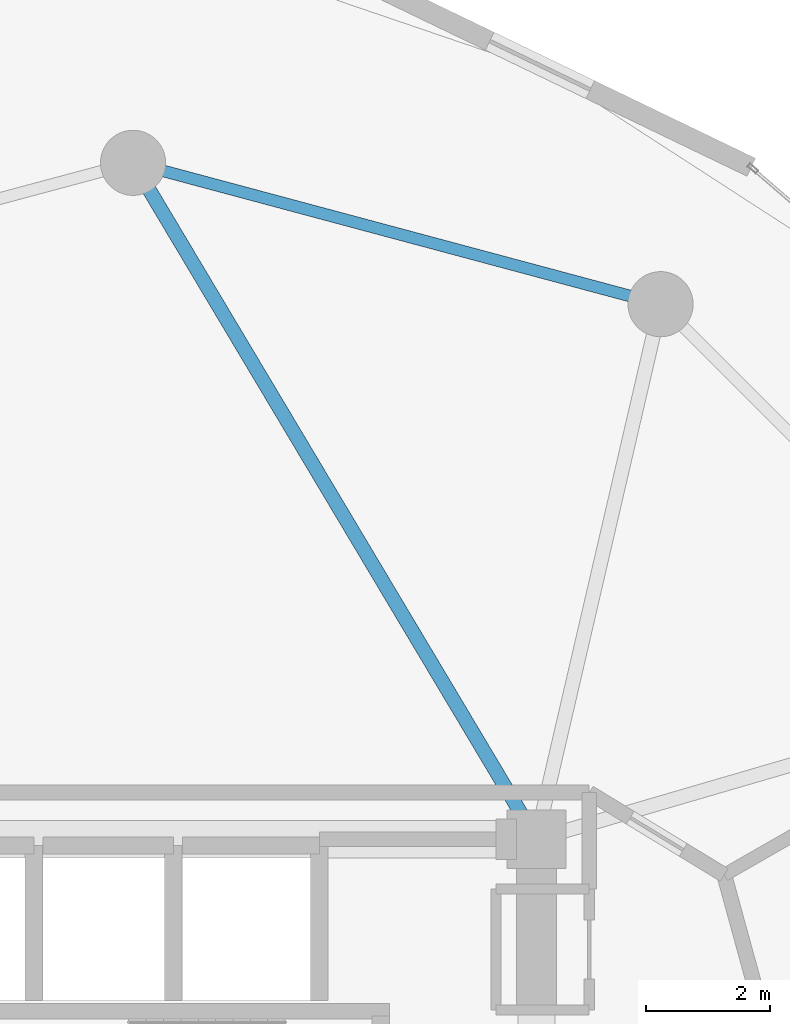
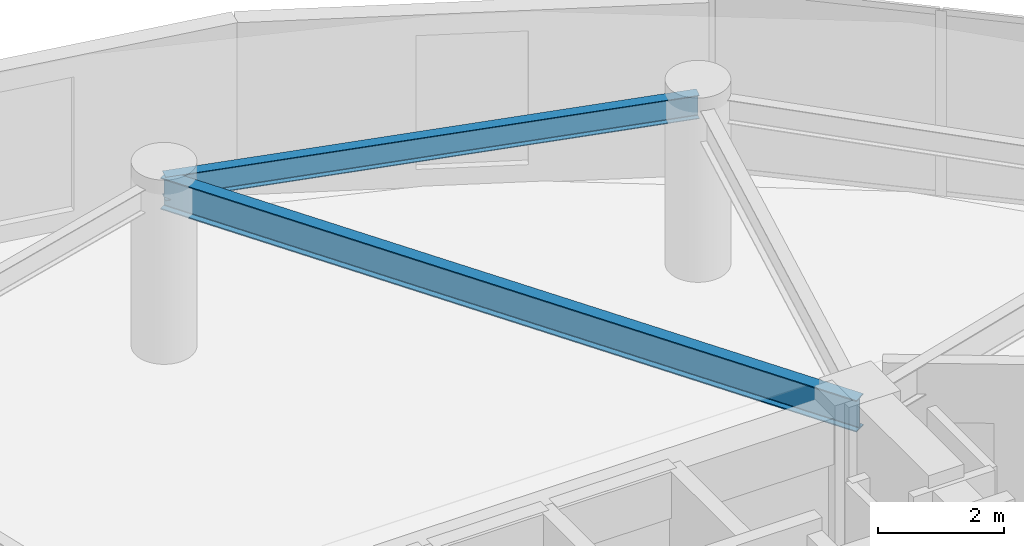
# One storey, part 17 of 26: 2 beams.
"""IFC4 building model written with IfcOpenShell, lengths in metres."""

import ifcopenshell
import ifcopenshell.guid

model = None  # the IFC model being written
_history = None  # IfcOwnerHistory: only IFC2X3 demands one
_inside = {}  # id of a spatial element -> (the spatial element, [elements in it])
_under = {}  # id of a project, library or spatial element -> (it, [spatial elements below it])
_declared = {}  # id of a project -> (the project, [libraries it declares])
_typed = {}  # id of a type object -> (the type object, [elements of that type])
_made_of = {}  # id of a material, layer set ... -> (it, [elements and type objects made of it])


def new_model(schema):
    """Start an empty IFC model of exactly this schema.

    Asked for "IFC4X3", IfcOpenShell would pick the latest addendum, in which some entities
    have other attributes; the version numbers below select the first issue.
    IFC2X3 requires an IfcOwnerHistory on every rooted entity: one is made here for all.
    """
    global model, _history
    if schema == "IFC4X3":
        model = ifcopenshell.file(schema_version=(4, 3, 0, 0))
    else:
        model = ifcopenshell.file(schema=schema)
    _inside.clear()
    _under.clear()
    _declared.clear()
    _typed.clear()
    _made_of.clear()
    _history = None
    if model.schema == "IFC2X3":
        org = make("IfcOrganization", Name="unknown")
        user = make(
            "IfcPersonAndOrganization",
            ThePerson=make("IfcPerson", FamilyName="unknown"),
            TheOrganization=org,
        )
        app = make(
            "IfcApplication",
            ApplicationDeveloper=org,
            Version="unknown",
            ApplicationFullName="unknown",
            ApplicationIdentifier="unknown",
        )
        _history = make(
            "IfcOwnerHistory",
            OwningUser=user,
            OwningApplication=app,
            ChangeAction="ADDED",
            CreationDate=0,
        )
    return model


def make(cls, **values):
    """One entity of the class cls with the attributes given. An attribute that is None is left unset."""
    return model.create_entity(
        cls, **{name: value for name, value in values.items() if value is not None}
    )


def rooted(cls, **values):
    """An entity with a GlobalId (a new one), such as an element, a storey or a relation."""
    return make(cls, GlobalId=ifcopenshell.guid.new(), OwnerHistory=_history, **values)


def si_unit(unit_type, name, prefix=None):
    """IfcSIUnit, for example si_unit("LENGTHUNIT", "METRE", prefix="MILLI")."""
    return make("IfcSIUnit", UnitType=unit_type, Prefix=prefix, Name=name)


def assignment(units):
    """IfcUnitAssignment: the units of a project."""
    return None if units is None else make("IfcUnitAssignment", Units=units)


def point(xyz):
    """IfcCartesianPoint."""
    return None if xyz is None else make("IfcCartesianPoint", Coordinates=xyz)


def direction(xyz):
    """IfcDirection."""
    return None if xyz is None else make("IfcDirection", DirectionRatios=xyz)


def frame(location, z_axis=None, x_axis=None):
    """IfcAxis2Placement3D, a coordinate frame: its origin and axes. An axis left out is left unset."""
    return make(
        "IfcAxis2Placement3D",
        Location=point(location),
        Axis=direction(z_axis),
        RefDirection=direction(x_axis),
    )


def frame_2d(location, x_axis=None):
    """IfcAxis2Placement2D, a coordinate frame in the plane: its origin and x axis."""
    return make(
        "IfcAxis2Placement2D", Location=point(location), RefDirection=direction(x_axis)
    )


def origin():
    """The frame at (0, 0, 0) with its axes left unset."""
    return frame((0.0, 0.0, 0.0))


def origin_2d():
    """The frame at (0, 0) in the plane with its x axis left unset."""
    return frame_2d((0.0, 0.0))


def place(relative_to, where):
    """IfcLocalPlacement: puts the frame where relative to a parent placement (None: the world)."""
    return make(
        "IfcLocalPlacement", PlacementRelTo=relative_to, RelativePlacement=where
    )


def context(
    kind, dimensions, precision=None, world=None, true_north=None, identifier=None
):
    """IfcGeometricRepresentationContext, for example the 3D "Model" context."""
    return make(
        "IfcGeometricRepresentationContext",
        ContextIdentifier=identifier,
        ContextType=kind,
        CoordinateSpaceDimension=dimensions,
        Precision=precision,
        WorldCoordinateSystem=world,
        TrueNorth=true_north,
    )


def subcontext(parent, identifier, kind, view, scale=None):
    """IfcGeometricRepresentationSubContext, for example "Body" below "Model"."""
    return make(
        "IfcGeometricRepresentationSubContext",
        ContextIdentifier=identifier,
        ContextType=kind,
        ParentContext=parent,
        TargetScale=scale,
        TargetView=view,
    )


def project(units=None, contexts=None):
    """IfcProject with its units and contexts."""
    return rooted(
        "IfcProject",
        Name="project",
        RepresentationContexts=contexts,
        UnitsInContext=assignment(units),
    )


def spatial(cls, under=None, at=None, **own):
    """A site, building, storey or space (cls), placed at a placement, below another one or the project."""
    s = rooted(cls, ObjectPlacement=at, **own)
    if under is not None:
        _under.setdefault(under.id(), (under, []))[1].append(s)
    return s


def profile(cls, at=None, kind="AREA", **sizes):
    """A parametric profile (cls). Its sizes go by their IFC names, for example OverallWidth=200.0."""
    return make(cls, ProfileType=kind, Position=at, **sizes)


def i_section(**sizes):
    """IfcIShapeProfileDef."""
    return profile("IfcIShapeProfileDef", **sizes)


def extrude(swept, where, along, depth):
    """IfcExtrudedAreaSolid: the profile swept, set in the frame where, extruded along a direction by depth."""
    return make(
        "IfcExtrudedAreaSolid",
        SweptArea=swept,
        Position=where,
        ExtrudedDirection=direction(along),
        Depth=depth,
    )


def shape(context_of_items, identifier, shape_type, items):
    """IfcShapeRepresentation: the items that make up one representation, for example the "Body"."""
    return make(
        "IfcShapeRepresentation",
        ContextOfItems=context_of_items,
        RepresentationIdentifier=identifier,
        RepresentationType=shape_type,
        Items=items,
    )


def material(Name=None, Category=None):
    """IfcMaterial."""
    return make("IfcMaterial", Name=Name, Category=Category)


def material_profile(
    of_material, cross_section, Name=None, Category=None, Priority=None
):
    """IfcMaterialProfile: a cross section and its material."""
    return make(
        "IfcMaterialProfile",
        Name=Name,
        Material=of_material,
        Profile=cross_section,
        Priority=Priority,
        Category=Category,
    )


def profile_set(profiles, Name=None, composite=None):
    """IfcMaterialProfileSet."""
    return make(
        "IfcMaterialProfileSet",
        Name=Name,
        MaterialProfiles=profiles,
        CompositeProfile=composite,
    )


def made_of(thing, what):
    """Note that an element or type object is made of a material, layer set ...; save() writes the relation."""
    if what is not None:
        _made_of.setdefault(what.id(), (what, []))[1].append(thing)
    return thing


def type_object(cls, material=None, **own):
    """A type object (cls), such as IfcWallType, which elements share."""
    return made_of(rooted(cls, **own), material)


def element(
    cls,
    number,
    at=None,
    inside=None,
    cuts=None,
    type_object=None,
    material=None,
    context=None,
    identifier="Body",
    shape_type=None,
    held_by="IfcProductDefinitionShape",
    body=None,
    shapes=None,
    **own,
):
    """One element of the class cls, such as IfcWall. Its Tag is "e" and its number.

    at: its placement. inside: the storey or other place that contains it. cuts: it is an
    opening in that element (IfcRelVoidsElement). A single representation is given by context,
    identifier, shape_type and body (its items); several are given by shapes. held_by: the class
    of the entity that holds the representations. save() writes the other relations.
    """
    e = rooted(cls, Tag="e%d" % number, ObjectPlacement=at, **own)
    if body is not None:
        shapes = [shape(context, identifier, shape_type, body)]
    if shapes is not None:
        e.Representation = make(held_by, Representations=shapes)
    if inside is not None:
        _inside.setdefault(inside.id(), (inside, []))[1].append(e)
    if cuts is not None:
        rooted(
            "IfcRelVoidsElement", RelatingBuildingElement=cuts, RelatedOpeningElement=e
        )
    if type_object is not None:
        _typed.setdefault(type_object.id(), (type_object, []))[1].append(e)
    return made_of(e, material)


def aggregate(whole, parts):
    """IfcRelAggregates: a whole, such as a stair, and the parts it consists of."""
    return rooted("IfcRelAggregates", RelatingObject=whole, RelatedObjects=parts)


def save(model, path):
    """Write the relations noted so far, then the file.

    IfcRelAggregates (storeys below a building ...), IfcRelContainedInSpatialStructure (elements
    in a storey), IfcRelDefinesByType, IfcRelAssociatesMaterial and IfcRelDeclares: one each for
    every whole, place, type object, material and project.
    """
    for whole, parts in _under.values():
        aggregate(whole, parts)
    for where, things in _inside.values():
        rooted(
            "IfcRelContainedInSpatialStructure",
            RelatedElements=things,
            RelatingStructure=where,
        )
    for kind, things in _typed.values():
        rooted("IfcRelDefinesByType", RelatedObjects=things, RelatingType=kind)
    for what, things in _made_of.values():
        rooted("IfcRelAssociatesMaterial", RelatedObjects=things, RelatingMaterial=what)
    for by, libraries in _declared.values():
        rooted("IfcRelDeclares", RelatingContext=by, RelatedDefinitions=libraries)
    model.write(path)


model = new_model("IFC4")

# Units and contexts
model_context = context("Model", 3, precision=1e-05, world=origin(), true_north=direction((0.0, 1.0)))
body_context = subcontext(model_context, "Body", "Model", "MODEL_VIEW")
ifc_project = project(units=[si_unit("LENGTHUNIT", "METRE"), si_unit("AREAUNIT", "SQUARE_METRE"), si_unit("VOLUMEUNIT", "CUBIC_METRE"), si_unit("PLANEANGLEUNIT", "RADIAN"), si_unit("MASSUNIT", "GRAM", prefix="KILO")], contexts=[model_context])

# Site, building, storey
site_placement = place(None, origin())
site = spatial("IfcSite", under=ifc_project, at=site_placement, CompositionType="ELEMENT")
building_placement = place(site_placement, origin())
building = spatial("IfcBuilding", under=site, at=building_placement, Name="Solvirekh Grand Hotel", CompositionType="ELEMENT")
storey_placement = place(building_placement, frame((0.0, 0.0, 113.39990234375)))
storey = spatial("IfcBuildingStorey", under=building, at=storey_placement, Name="L28", CompositionType="ELEMENT", Elevation=113.39990234375)

# Beams
ifc_material = material(Name="Steel S355", Category="steel")
ifc_material_profile_1 = material_profile(ifc_material, i_section(OverallWidth=0.22802734375, OverallDepth=0.616943359375, WebThickness=0.012939453125, FlangeThickness=0.02001953125, FilletRadius=0.014892578125, at=origin_2d()), Name="W610X140")
ifc_profile_set_1 = profile_set([ifc_material_profile_1], Name="Steel S355")
beam_type_1 = type_object("IfcBeamType", Name="Beam_Radial_W610", PredefinedType="BEAM", material=ifc_profile_set_1)
beam_1_placement = place(storey_placement, frame((6.5, 6.10009765625, 3.0419921875), z_axis=(-0.512179721377, 0.858878299301, 0.0), x_axis=(-0.858878299301, -0.512179721377, 0.0)))
element("IfcBeam", 1, at=beam_1_placement, inside=storey, type_object=beam_type_1, Name="L28 radial floor beam R04", PredefinedType="BEAM", context=body_context, shape_type="SweptSolid", body=[
    extrude(i_section(OverallWidth=0.22802734375, OverallDepth=0.616943359375, WebThickness=0.012939453125, FlangeThickness=0.02001953125, FilletRadius=0.014892578125, at=origin_2d()), origin(), (0.0, 0.0, 1.0), 12.69091796875),
])
ifc_material_profile_2 = material_profile(ifc_material, i_section(OverallWidth=0.18994140625, OverallDepth=0.45703125, WebThickness=0.009033203125, FlangeThickness=0.013916015625, FilletRadius=0.012939453125, at=origin_2d()), Name="W460X74")
ifc_profile_set_2 = profile_set([ifc_material_profile_2], Name="Steel S355")
beam_type_2 = type_object("IfcBeamType", Name="Spandrel_Ring_W460", PredefinedType="SPANDREL", material=ifc_profile_set_2)
beam_2_placement = place(storey_placement, frame((8.5, 14.721923828125, 3.1220703125), z_axis=(-0.965911391906, 0.258872908946, 0.0), x_axis=(-0.258872908946, -0.965911391906, 0.0)))
element("IfcBeam", 2, at=beam_2_placement, inside=storey, type_object=beam_type_2, Name="L28 perimeter spandrel beam 3", PredefinedType="SPANDREL", context=body_context, shape_type="SweptSolid", body=[
    extrude(i_section(OverallWidth=0.18994140625, OverallDepth=0.45703125, WebThickness=0.009033203125, FlangeThickness=0.013916015625, FilletRadius=0.012939453125, at=origin_2d()), origin(), (0.0, 0.0, 1.0), 8.800048828125),
])

save(model, "model.ifc")
